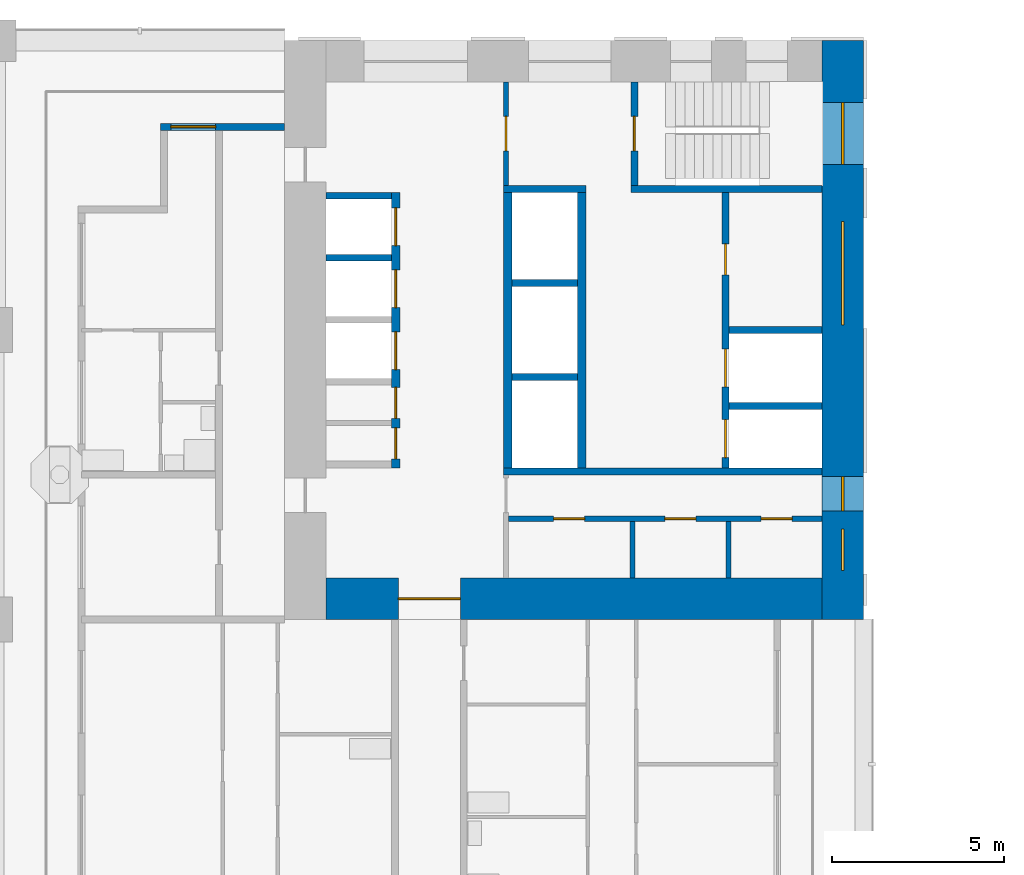
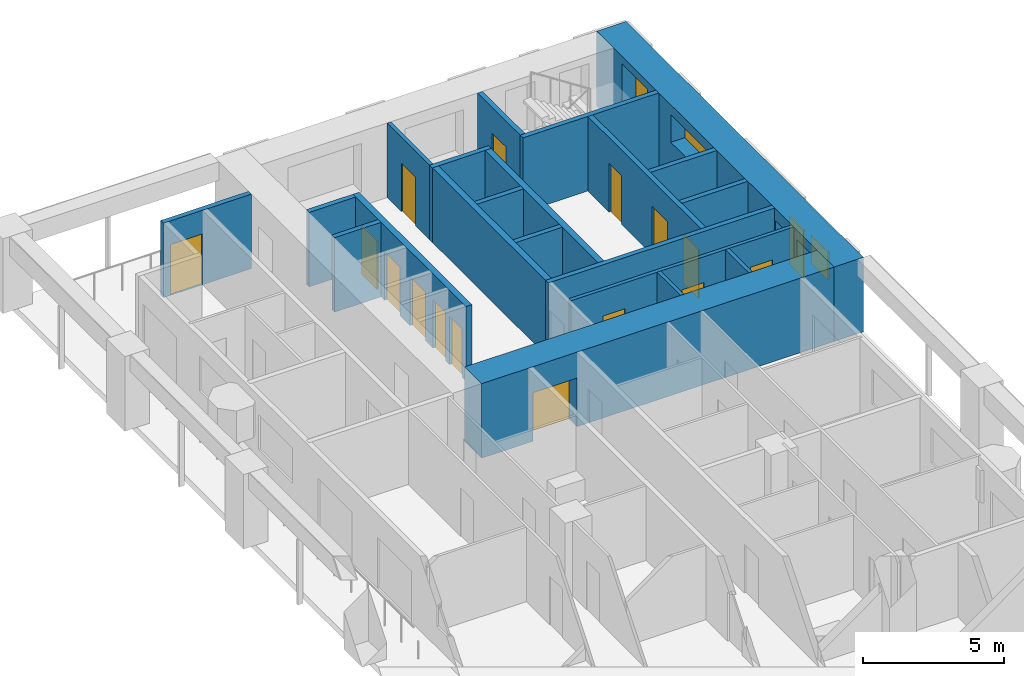
# One storey, part 7 of 18: 21 walls, 15 doors, 4 windows, 19 openings.
"""IFC4 building model written with IfcOpenShell, lengths in metres."""

from ifc_helpers import new_model, si_unit, direction, frame, frame_2d, origin, place, context, subcontext, project, spatial, rectangle, extrude, material, layer, layer_set, type_object, element, fill, save


model = new_model("IFC4")

# Units and contexts
model_context = context("Model", 3, precision=1e-05, world=origin(), true_north=direction((0.0, 1.0)))
body_context = subcontext(model_context, "Body", "Model", "MODEL_VIEW")
ifc_project = project(units=[si_unit("LENGTHUNIT", "METRE"), si_unit("AREAUNIT", "SQUARE_METRE"), si_unit("VOLUMEUNIT", "CUBIC_METRE"), si_unit("PLANEANGLEUNIT", "RADIAN"), si_unit("MASSUNIT", "GRAM", prefix="KILO")], contexts=[model_context])

# Site, building, storey
site_placement = place(None, origin())
site = spatial("IfcSite", under=ifc_project, at=site_placement, CompositionType="ELEMENT")
building_placement = place(site_placement, origin())
building = spatial("IfcBuilding", under=site, at=building_placement, Name="Vermilion Gate Residences", CompositionType="ELEMENT")
storey_placement = place(building_placement, frame((0.0, 0.0, 81.199951171875)))
storey = spatial("IfcBuildingStorey", under=building, at=storey_placement, Name="L19", CompositionType="ELEMENT", Elevation=81.199951171875)

# Wall, opening, door
ifc_material_1 = material(Name="Masonry blockwork", Category="masonry")
ifc_layer_1 = layer(ifc_material_1, 0.14990234375)
ifc_layer_set_1 = layer_set([ifc_layer_1], Name="BLOCKWORK PARTITION 150 EI 120")
wall_type_1 = type_object("IfcWallType", Name="BLOCKWORK PARTITION 150 EI 120", PredefinedType="PARTITIONING", material=ifc_layer_set_1)
wall_1_placement = place(storey_placement, frame((14.824951171875, 57.60009765625, 0.0), z_axis=(0.0, 0.0, 1.0), x_axis=(0.0, -1.0, 0.0)))
wall_1 = element("IfcWall", 1, at=wall_1_placement, inside=storey, type_object=wall_type_1, Name="Core room partition B19-VW-S", PredefinedType="PARTITIONING", context=body_context, shape_type="SweptSolid", body=[
    extrude(rectangle(XDim=3.0, YDim=0.14990234375, at=frame_2d((1.5, 0.0))), origin(), (0.0, 0.0, 1.0), 3.219970703125),
])
opening_1_placement = place(wall_1_placement, frame((1.0, 0.0, 0.0)))
opening_1 = element("IfcOpeningElement", 2, at=opening_1_placement, cuts=wall_1, Name="Opening DK19112", PredefinedType="OPENING", context=body_context, shape_type="SweptSolid", body=[
    extrude(rectangle(XDim=1.0, YDim=2.10009765625, at=frame_2d((0.5, 1.050048828125))), frame((0.0, 0.0849609375, 0.0), z_axis=(0.0, -1.0, 0.0), x_axis=(1.0, 0.0, 0.0)), (0.0, 0.0, 1.0), 0.169921875),
])
ifc_material_2 = material(Name="Steel", Category="steel")
door_type_1 = type_object("IfcDoorType", Name="FIRE DOOR FD60 1000 X 2100", OperationType="SINGLE_SWING_LEFT", PredefinedType="DOOR", material=ifc_material_2)
door_1_placement = place(opening_1_placement, frame((1.0, 0.0, 0.0), z_axis=(0.0, 0.0, 1.0), x_axis=(-1.0, 0.0, 0.0)))
door_1 = element("IfcDoor", 3, at=door_1_placement, inside=storey, type_object=door_type_1, Name="Stair vestibule door B19", OperationType="SINGLE_SWING_RIGHT", OverallHeight=2.10009765625, OverallWidth=1.0, PredefinedType="DOOR", context=body_context, shape_type="SweptSolid", body=[
    extrude(rectangle(XDim=1.0, YDim=2.10009765625, at=frame_2d((0.5, 1.050048828125))), frame((0.0, 0.02490234375, 0.0), z_axis=(0.0, -1.0, 0.0), x_axis=(1.0, 0.0, 0.0)), (0.0, 0.0, 1.0), 0.050048828125),
])
fill(opening_1, door_1)

# Walls
for number, where, z_axis, x_axis, name in (
    (4, (18.4951171875, 44.85009765625, 0.0), (0.0, 0.0, 1.0), (0.0, -1.0, 0.0), "Core room partition B19-ES-P0"),
    (5, (21.284912109375, 44.85009765625, 0.0), (0.0, 0.0, 1.0), (0.0, -1.0, 0.0), "Core room partition B19-ES-P1"),
):
    element("IfcWall", number, at=place(storey_placement, frame(where, z_axis=z_axis, x_axis=x_axis)), inside=storey, type_object=wall_type_1, Name=name, PredefinedType="PARTITIONING", context=body_context, shape_type="SweptSolid", body=[
        extrude(rectangle(XDim=1.650146484375, YDim=0.14990234375, at=frame_2d((0.8251953125, 0.0))), origin(), (0.0, 0.0, 1.0), 3.219970703125),
    ])

# Wall, openings, doors
wall_2_placement = place(storey_placement, frame((14.89990234375, 44.925048828125, 0.0), z_axis=(0.0, 0.0, 1.0), x_axis=(1.0, 0.0, 0.0)))
wall_2 = element("IfcWall", 6, at=wall_2_placement, inside=storey, type_object=wall_type_1, Name="Core room partition B19-ES-W", PredefinedType="PARTITIONING", context=body_context, shape_type="SweptSolid", body=[
    extrude(rectangle(XDim=9.10009765625, YDim=0.14990234375, at=frame_2d((4.550048828125, 0.0))), origin(), (0.0, 0.0, 1.0), 3.219970703125),
])
opening_2_placement = place(wall_2_placement, frame((1.31005859375, 0.0, 0.0)))
opening_2 = element("IfcOpeningElement", 7, at=opening_2_placement, cuts=wall_2, Name="Opening DK19115", PredefinedType="OPENING", context=body_context, shape_type="SweptSolid", body=[
    extrude(rectangle(XDim=0.89990234375, YDim=2.10009765625, at=frame_2d((0.449951171875, 1.050048828125))), frame((0.0, 0.0849609375, 0.0), z_axis=(0.0, -1.0, 0.0), x_axis=(1.0, 0.0, 0.0)), (0.0, 0.0, 1.0), 0.169921875),
])
opening_3_placement = place(wall_2_placement, frame((4.5400390625, 0.0, 0.0)))
opening_3 = element("IfcOpeningElement", 8, at=opening_3_placement, cuts=wall_2, Name="Opening DK19116", PredefinedType="OPENING", context=body_context, shape_type="SweptSolid", body=[
    extrude(rectangle(XDim=0.89990234375, YDim=2.10009765625, at=frame_2d((0.449951171875, 1.050048828125))), frame((0.0, 0.0849609375, 0.0), z_axis=(0.0, -1.0, 0.0), x_axis=(1.0, 0.0, 0.0)), (0.0, 0.0, 1.0), 0.169921875),
])
opening_4_placement = place(wall_2_placement, frame((7.330078125, 0.0, 0.0)))
opening_4 = element("IfcOpeningElement", 9, at=opening_4_placement, cuts=wall_2, Name="Opening DK19117", PredefinedType="OPENING", context=body_context, shape_type="SweptSolid", body=[
    extrude(rectangle(XDim=0.89990234375, YDim=2.10009765625, at=frame_2d((0.449951171875, 1.050048828125))), frame((0.0, 0.0849609375, 0.0), z_axis=(0.0, -1.0, 0.0), x_axis=(1.0, 0.0, 0.0)), (0.0, 0.0, 1.0), 0.169921875),
])
ifc_material_3 = material(Name="Steel", Category="steel")
door_type_2 = type_object("IfcDoorType", Name="SERVICE ROOM DOOR FD60 900 X 2100", OperationType="SINGLE_SWING_LEFT", PredefinedType="DOOR", material=ifc_material_3)
door_2_placement = place(opening_2_placement, frame((0.89990234375, 0.0, 0.0), z_axis=(0.0, 0.0, 1.0), x_axis=(-1.0, 0.0, 0.0)))
door_2 = element("IfcDoor", 10, at=door_2_placement, inside=storey, type_object=door_type_2, Name="Parcel room B19", OperationType="SINGLE_SWING_RIGHT", OverallHeight=2.10009765625, OverallWidth=0.89990234375, PredefinedType="DOOR", context=body_context, shape_type="SweptSolid", body=[
    extrude(rectangle(XDim=0.89990234375, YDim=2.10009765625, at=frame_2d((0.449951171875, 1.050048828125))), frame((0.0, 0.02490234375, 0.0), z_axis=(0.0, -1.0, 0.0), x_axis=(1.0, 0.0, 0.0)), (0.0, 0.0, 1.0), 0.050048828125),
])
fill(opening_2, door_2)
door_3_placement = place(opening_3_placement, frame((0.89990234375, 0.0, 0.0), z_axis=(0.0, 0.0, 1.0), x_axis=(-1.0, 0.0, 0.0)))
door_3 = element("IfcDoor", 11, at=door_3_placement, inside=storey, type_object=door_type_2, Name="Cleaner's store B19", OperationType="SINGLE_SWING_RIGHT", OverallHeight=2.10009765625, OverallWidth=0.89990234375, PredefinedType="DOOR", context=body_context, shape_type="SweptSolid", body=[
    extrude(rectangle(XDim=0.89990234375, YDim=2.10009765625, at=frame_2d((0.449951171875, 1.050048828125))), frame((0.0, 0.02490234375, 0.0), z_axis=(0.0, -1.0, 0.0), x_axis=(1.0, 0.0, 0.0)), (0.0, 0.0, 1.0), 0.050048828125),
])
fill(opening_3, door_3)
door_4_placement = place(opening_4_placement, frame((0.89990234375, 0.0, 0.0), z_axis=(0.0, 0.0, 1.0), x_axis=(-1.0, 0.0, 0.0)))
door_4 = element("IfcDoor", 12, at=door_4_placement, inside=storey, type_object=door_type_2, Name="Electrical room B19", OperationType="SINGLE_SWING_LEFT", OverallHeight=2.10009765625, OverallWidth=0.89990234375, PredefinedType="DOOR", context=body_context, shape_type="SweptSolid", body=[
    extrude(rectangle(XDim=0.89990234375, YDim=2.10009765625, at=frame_2d((0.449951171875, 1.050048828125))), frame((0.0, 0.02490234375, 0.0), z_axis=(0.0, -1.0, 0.0), x_axis=(1.0, 0.0, 0.0)), (0.0, 0.0, 1.0), 0.050048828125),
])
fill(opening_4, door_4)

# Wall, opening, door
ifc_material_4 = material(Name="Insulated steel stud wall with terracotta rainscreen", Category="masonry")
ifc_layer_2 = layer(ifc_material_4, 0.199951171875)
ifc_layer_set_2 = layer_set([ifc_layer_2], Name="EXTERNAL WALL 200 TERRACOTTA RAINSCREEN")
wall_type_2 = type_object("IfcWallType", Name="EXTERNAL WALL 200 TERRACOTTA RAINSCREEN", PredefinedType="SOLIDWALL", material=ifc_layer_set_2)
wall_3_placement = place(storey_placement, frame((8.39990234375, 56.300048828125, 0.0), z_axis=(0.0, 0.0, 1.0), x_axis=(-1.0, 0.0, 0.0)))
wall_3 = element("IfcWall", 13, at=wall_3_placement, inside=storey, type_object=wall_type_2, Name="External wall", PredefinedType="SOLIDWALL", context=body_context, shape_type="SweptSolid", body=[
    extrude(rectangle(XDim=3.599853515625, YDim=0.199951171875, at=frame_2d((1.7998046875, 0.0))), origin(), (0.0, 0.0, 1.0), 3.219970703125),
])
opening_5_placement = place(wall_3_placement, frame((2.0, 0.0, 0.0)))
opening_5 = element("IfcOpeningElement", 14, at=opening_5_placement, cuts=wall_3, Name="Opening DE19001", PredefinedType="OPENING", context=body_context, shape_type="SweptSolid", body=[
    extrude(rectangle(XDim=1.300048828125, YDim=2.199951171875, at=frame_2d((0.64990234375, 1.10009765625))), frame((0.0, 0.10986328125, 0.0), z_axis=(0.0, -1.0, 0.0), x_axis=(1.0, 0.0, 0.0)), (0.0, 0.0, 1.0), 0.219970703125),
])
ifc_material_5 = material(Name="Aluminium and clear glass", Category="aluminium")
door_type_3 = type_object("IfcDoorType", Name="SLIDING GLAZED DOOR 1300 X 2200", OperationType="DOUBLE_DOOR_SLIDING", PredefinedType="DOOR", material=ifc_material_5)
door_5_placement = place(opening_5_placement, origin())
door_5 = element("IfcDoor", 15, at=door_5_placement, inside=storey, type_object=door_type_3, Name="Loggia sliding door", OperationType="DOUBLE_DOOR_SLIDING", OverallHeight=2.199951171875, OverallWidth=1.300048828125, PredefinedType="DOOR", context=body_context, shape_type="SweptSolid", body=[
    extrude(rectangle(XDim=1.300048828125, YDim=2.199951171875, at=frame_2d((0.64990234375, 1.10009765625))), frame((0.0, 0.02490234375, 0.0), z_axis=(0.0, -1.0, 0.0), x_axis=(1.0, 0.0, 0.0)), (0.0, 0.0, 1.0), 0.050048828125),
])
fill(opening_5, door_5)

# Walls
ifc_material_6 = material(Name="Concrete C60", Category="concrete")
ifc_layer_3 = layer(ifc_material_6, 0.199951171875)
ifc_layer_set_3 = layer_set([ifc_layer_3], Name="RC CORE INTERNAL WALL 200 C60")
wall_type_3 = type_object("IfcWallType", Name="RC CORE INTERNAL WALL 200 C60", PredefinedType="SHEAR", material=ifc_layer_set_3)
for number, where, z_axis, x_axis, name in (
    (16, (9.60009765625, 54.300048828125, 0.0), (0.0, 0.0, 1.0), (1.0, 0.0, 0.0), "Core internal wall B19-LR-D0"),
    (17, (9.60009765625, 52.5, 0.0), (0.0, 0.0, 1.0), (1.0, 0.0, 0.0), "Core internal wall B19-LR-D1"),
    (18, (15.0, 51.7666015625, 0.0), (0.0, 0.0, 1.0), (1.0, 0.0, 0.0), "Core internal wall B19-HR-D1"),
    (19, (15.0, 49.033447265625, 0.0), (0.0, 0.0, 1.0), (1.0, 0.0, 0.0), "Core internal wall B19-HR-D2"),
):
    element("IfcWall", number, at=place(storey_placement, frame(where, z_axis=z_axis, x_axis=x_axis)), inside=storey, type_object=wall_type_3, Name=name, PredefinedType="SHEAR", context=body_context, shape_type="SweptSolid", body=[
        extrude(rectangle(XDim=1.89990234375, YDim=0.199951171875, at=frame_2d((0.949951171875, 0.0))), origin(), (0.0, 0.0, 1.0), 3.219970703125),
    ])
for number, where, z_axis, x_axis, name in (
    (20, (21.300048828125, 50.39990234375, 0.0), (0.0, 0.0, 1.0), (1.0, 0.0, 0.0), "Core internal wall B19-FF-D0"),
    (21, (21.300048828125, 48.199951171875, 0.0), (0.0, 0.0, 1.0), (1.0, 0.0, 0.0), "Core internal wall B19-FF-D1"),
):
    element("IfcWall", number, at=place(storey_placement, frame(where, z_axis=z_axis, x_axis=x_axis)), inside=storey, type_object=wall_type_3, Name=name, PredefinedType="SHEAR", context=body_context, shape_type="SweptSolid", body=[
        extrude(rectangle(XDim=2.699951171875, YDim=0.199951171875, at=frame_2d((1.35009765625, 0.0))), origin(), (0.0, 0.0, 1.0), 3.219970703125),
    ])

# Wall, openings, doors
wall_4_placement = place(storey_placement, frame((21.199951171875, 54.39990234375, 0.0), z_axis=(0.0, 0.0, 1.0), x_axis=(0.0, -1.0, 0.0)))
wall_4 = element("IfcWall", 22, at=wall_4_placement, inside=storey, type_object=wall_type_3, Name="Core internal wall B19-FF-F", PredefinedType="SHEAR", context=body_context, shape_type="SweptSolid", body=[
    extrude(rectangle(XDim=8.0, YDim=0.199951171875, at=frame_2d((4.0, 0.0))), origin(), (0.0, 0.0, 1.0), 3.219970703125),
])
opening_6_placement = place(wall_4_placement, frame((1.5, 0.0, 0.0)))
opening_6 = element("IfcOpeningElement", 23, at=opening_6_placement, cuts=wall_4, Name="Opening DK19109", PredefinedType="OPENING", context=body_context, shape_type="SweptSolid", body=[
    extrude(rectangle(XDim=0.89990234375, YDim=2.10009765625, at=frame_2d((0.449951171875, 1.050048828125))), frame((0.0, 0.10986328125, 0.0), z_axis=(0.0, -1.0, 0.0), x_axis=(1.0, 0.0, 0.0)), (0.0, 0.0, 1.0), 0.219970703125),
])
opening_7_placement = place(wall_4_placement, frame((4.550048828125, 0.0, 0.0)))
opening_7 = element("IfcOpeningElement", 24, at=opening_7_placement, cuts=wall_4, Name="Opening LD", PredefinedType="OPENING", context=body_context, shape_type="SweptSolid", body=[
    extrude(rectangle(XDim=1.10009765625, YDim=2.10009765625, at=frame_2d((0.550048828125, 1.050048828125))), frame((0.0, 0.10986328125, 0.0), z_axis=(0.0, -1.0, 0.0), x_axis=(1.0, 0.0, 0.0)), (0.0, 0.0, 1.0), 0.219970703125),
])
opening_8_placement = place(wall_4_placement, frame((6.60009765625, 0.0, 0.0)))
opening_8 = element("IfcOpeningElement", 25, at=opening_8_placement, cuts=wall_4, Name="Opening LD", PredefinedType="OPENING", context=body_context, shape_type="SweptSolid", body=[
    extrude(rectangle(XDim=1.10009765625, YDim=2.10009765625, at=frame_2d((0.550048828125, 1.050048828125))), frame((0.0, 0.10986328125, 0.0), z_axis=(0.0, -1.0, 0.0), x_axis=(1.0, 0.0, 0.0)), (0.0, 0.0, 1.0), 0.219970703125),
])
ifc_material_7 = material(Name="Stainless steel", Category="steel")
door_type_4 = type_object("IfcDoorType", Name="LIFT LANDING DOOR E60 1100 X 2100", OperationType="DOUBLE_DOOR_SLIDING", PredefinedType="DOOR", material=ifc_material_7)
door_6_placement = place(opening_7_placement, origin())
door_6 = element("IfcDoor", 26, at=door_6_placement, inside=storey, type_object=door_type_4, Name="Lift landing door LFB1", OperationType="DOUBLE_DOOR_SLIDING", OverallHeight=2.10009765625, OverallWidth=1.10009765625, PredefinedType="DOOR", context=body_context, shape_type="SweptSolid", body=[
    extrude(rectangle(XDim=1.10009765625, YDim=2.10009765625, at=frame_2d((0.550048828125, 1.050048828125))), frame((0.0, 0.02490234375, 0.0), z_axis=(0.0, -1.0, 0.0), x_axis=(1.0, 0.0, 0.0)), (0.0, 0.0, 1.0), 0.050048828125),
])
fill(opening_7, door_6)
door_7_placement = place(opening_8_placement, origin())
door_7 = element("IfcDoor", 27, at=door_7_placement, inside=storey, type_object=door_type_4, Name="Lift landing door LCB1", OperationType="DOUBLE_DOOR_SLIDING", OverallHeight=2.10009765625, OverallWidth=1.10009765625, PredefinedType="DOOR", context=body_context, shape_type="SweptSolid", body=[
    extrude(rectangle(XDim=1.10009765625, YDim=2.10009765625, at=frame_2d((0.550048828125, 1.050048828125))), frame((0.0, 0.02490234375, 0.0), z_axis=(0.0, -1.0, 0.0), x_axis=(1.0, 0.0, 0.0)), (0.0, 0.0, 1.0), 0.050048828125),
])
fill(opening_8, door_7)
door_8_placement = place(opening_6_placement, origin())
door_8 = element("IfcDoor", 28, at=door_8_placement, inside=storey, type_object=door_type_2, Name="Communications riser B19", OperationType="SINGLE_SWING_LEFT", OverallHeight=2.10009765625, OverallWidth=0.89990234375, PredefinedType="DOOR", context=body_context, shape_type="SweptSolid", body=[
    extrude(rectangle(XDim=0.89990234375, YDim=2.10009765625, at=frame_2d((0.449951171875, 1.050048828125))), frame((0.0, 0.02490234375, 0.0), z_axis=(0.0, -1.0, 0.0), x_axis=(1.0, 0.0, 0.0)), (0.0, 0.0, 1.0), 0.050048828125),
])
fill(opening_6, door_8)

# Walls
wall_5_placement = place(storey_placement, frame((14.75, 54.5, 0.0), z_axis=(0.0, 0.0, 1.0), x_axis=(1.0, 0.0, 0.0)))
element("IfcWall", 29, at=wall_5_placement, inside=storey, type_object=wall_type_3, Name="Core internal wall B19-WDIV1", PredefinedType="SHEAR", context=body_context, shape_type="SweptSolid", body=[
    extrude(rectangle(XDim=2.39990234375, YDim=0.199951171875, at=frame_2d((1.199951171875, 0.0))), origin(), (0.0, 0.0, 1.0), 3.219970703125),
])
wall_6_placement = place(storey_placement, frame((18.449951171875, 54.5, 0.0), z_axis=(0.0, 0.0, 1.0), x_axis=(1.0, 0.0, 0.0)))
element("IfcWall", 30, at=wall_6_placement, inside=storey, type_object=wall_type_3, Name="Core internal wall B19-WDIV2", PredefinedType="SHEAR", context=body_context, shape_type="SweptSolid", body=[
    extrude(rectangle(XDim=5.550048828125, YDim=0.199951171875, at=frame_2d((2.77490234375, 0.0))), origin(), (0.0, 0.0, 1.0), 3.219970703125),
])

# Wall, opening, door
wall_7_placement = place(storey_placement, frame((18.550048828125, 57.60009765625, 0.0), z_axis=(0.0, 0.0, 1.0), x_axis=(0.0, -1.0, 0.0)))
wall_7 = element("IfcWall", 31, at=wall_7_placement, inside=storey, type_object=wall_type_3, Name="Core internal wall B19-STW-S", PredefinedType="SHEAR", context=body_context, shape_type="SweptSolid", body=[
    extrude(rectangle(XDim=3.0, YDim=0.199951171875, at=frame_2d((1.5, 0.0))), origin(), (0.0, 0.0, 1.0), 3.219970703125),
])
opening_9_placement = place(wall_7_placement, frame((1.0, 0.0, 0.0)))
opening_9 = element("IfcOpeningElement", 32, at=opening_9_placement, cuts=wall_7, Name="Opening DK19113", PredefinedType="OPENING", context=body_context, shape_type="SweptSolid", body=[
    extrude(rectangle(XDim=1.0, YDim=2.10009765625, at=frame_2d((0.5, 1.050048828125))), frame((0.0, 0.10986328125, 0.0), z_axis=(0.0, -1.0, 0.0), x_axis=(1.0, 0.0, 0.0)), (0.0, 0.0, 1.0), 0.219970703125),
])
door_9_placement = place(opening_9_placement, origin())
door_9 = element("IfcDoor", 33, at=door_9_placement, inside=storey, type_object=door_type_1, Name="Stair door B19", OperationType="SINGLE_SWING_LEFT", OverallHeight=2.10009765625, OverallWidth=1.0, PredefinedType="DOOR", context=body_context, shape_type="SweptSolid", body=[
    extrude(rectangle(XDim=1.0, YDim=2.10009765625, at=frame_2d((0.5, 1.050048828125))), frame((0.0, 0.02490234375, 0.0), z_axis=(0.0, -1.0, 0.0), x_axis=(1.0, 0.0, 0.0)), (0.0, 0.0, 1.0), 0.050048828125),
])
fill(opening_9, door_9)

# Wall
wall_8_placement = place(storey_placement, frame((14.75, 46.300048828125, 0.0), z_axis=(0.0, 0.0, 1.0), x_axis=(1.0, 0.0, 0.0)))
element("IfcWall", 34, at=wall_8_placement, inside=storey, type_object=wall_type_3, Name="Core internal wall B19-EDIV", PredefinedType="SHEAR", context=body_context, shape_type="SweptSolid", body=[
    extrude(rectangle(XDim=9.25, YDim=0.199951171875, at=frame_2d((4.625, 0.0))), origin(), (0.0, 0.0, 1.0), 3.219970703125),
])

# Wall, opening, door
ifc_material_8 = material(Name="Concrete C70", Category="concrete")
ifc_layer_4 = layer(ifc_material_8, 1.199951171875)
ifc_layer_set_4 = layer_set([ifc_layer_4], Name="RC CORE WALL 1200 C70")
wall_type_4 = type_object("IfcWallType", Name="RC CORE WALL 1200 C70", PredefinedType="SHEAR", material=ifc_layer_set_4)
wall_9_placement = place(storey_placement, frame((9.60009765625, 42.60009765625, 0.0), z_axis=(0.0, 0.0, 1.0), x_axis=(1.0, 0.0, 0.0)))
wall_9 = element("IfcWall", 35, at=wall_9_placement, inside=storey, type_object=wall_type_4, Name="Core wall B19-OUT-BK", PredefinedType="SHEAR", context=body_context, shape_type="SweptSolid", body=[
    extrude(rectangle(XDim=14.39990234375, YDim=1.199951171875, at=frame_2d((7.199951171875, 0.0))), origin(), (0.0, 0.0, 1.0), 3.219970703125),
])
opening_10_placement = place(wall_9_placement, frame((2.10009765625, 0.0, 0.0)))
opening_10 = element("IfcOpeningElement", 36, at=opening_10_placement, cuts=wall_9, Name="Opening DK19103", PredefinedType="OPENING", context=body_context, shape_type="SweptSolid", body=[
    extrude(rectangle(XDim=1.800048828125, YDim=2.10009765625, at=frame_2d((0.89990234375, 1.050048828125))), frame((0.0, 0.60986328125, 0.0), z_axis=(0.0, -1.0, 0.0), x_axis=(1.0, 0.0, 0.0)), (0.0, 0.0, 1.0), 1.219970703125),
])
ifc_material_9 = material(Name="Steel", Category="steel")
door_type_5 = type_object("IfcDoorType", Name="CORE LOBBY DOOR FD60 1800 X 2100", OperationType="DOUBLE_DOOR_SINGLE_SWING", PredefinedType="DOOR", material=ifc_material_9)
door_10_placement = place(opening_10_placement, origin())
door_10 = element("IfcDoor", 37, at=door_10_placement, inside=storey, type_object=door_type_5, Name="Core lobby door B19", OperationType="DOUBLE_DOOR_SINGLE_SWING", OverallHeight=2.10009765625, OverallWidth=1.800048828125, PredefinedType="DOOR", context=body_context, shape_type="SweptSolid", body=[
    extrude(rectangle(XDim=1.800048828125, YDim=2.10009765625, at=frame_2d((0.89990234375, 1.050048828125))), frame((0.0, 0.02490234375, 0.0), z_axis=(0.0, -1.0, 0.0), x_axis=(1.0, 0.0, 0.0)), (0.0, 0.0, 1.0), 0.050048828125),
])
fill(opening_10, door_10)

# Wall, openings, windows
ifc_material_10 = material(Name="Concrete C70 red-oxide pigmented", Category="concrete")
ifc_layer_5 = layer(ifc_material_10, 1.199951171875)
ifc_layer_set_5 = layer_set([ifc_layer_5], Name="RC CORE WALL 1200 C70 RED OXIDE")
wall_type_5 = type_object("IfcWallType", Name="RC CORE WALL 1200 C70 RED OXIDE", PredefinedType="SHEAR", material=ifc_layer_set_5)
wall_10_placement = place(storey_placement, frame((24.60009765625, 58.800048828125, 0.0), z_axis=(0.0, 0.0, 1.0), x_axis=(0.0, -1.0, 0.0)))
wall_10 = element("IfcWall", 38, at=wall_10_placement, inside=storey, type_object=wall_type_5, Name="Core wall B19-OUT-B1", PredefinedType="SHEAR", context=body_context, shape_type="SweptSolid", body=[
    extrude(rectangle(XDim=16.800048828125, YDim=1.199951171875, at=frame_2d((8.39990234375, 0.0))), origin(), (0.0, 0.0, 1.0), 3.219970703125),
])
opening_11_placement = place(wall_10_placement, frame((1.800048828125, 0.0, 0.5)))
opening_11 = element("IfcOpeningElement", 39, at=opening_11_placement, cuts=wall_10, Name="Opening WKB1901", PredefinedType="OPENING", context=body_context, shape_type="SweptSolid", body=[
    extrude(rectangle(XDim=1.800048828125, YDim=2.39990234375, at=frame_2d((0.89990234375, 1.199951171875))), frame((0.0, 0.60986328125, 0.0), z_axis=(0.0, -1.0, 0.0), x_axis=(1.0, 0.0, 0.0)), (0.0, 0.0, 1.0), 1.219970703125),
])
opening_12_placement = place(wall_10_placement, frame((5.25, 0.0, 1.60009765625)))
opening_12 = element("IfcOpeningElement", 40, at=opening_12_placement, cuts=wall_10, Name="Opening WKB1902", PredefinedType="OPENING", context=body_context, shape_type="SweptSolid", body=[
    extrude(rectangle(XDim=3.0, YDim=1.199951171875, at=frame_2d((1.5, 0.60009765625))), frame((0.0, 0.60986328125, 0.0), z_axis=(0.0, -1.0, 0.0), x_axis=(1.0, 0.0, 0.0)), (0.0, 0.0, 1.0), 1.219970703125),
])
opening_13_placement = place(wall_10_placement, frame((12.64990234375, 0.0, 0.60009765625)))
opening_13 = element("IfcOpeningElement", 41, at=opening_13_placement, cuts=wall_10, Name="Opening WKB1903", PredefinedType="OPENING", context=body_context, shape_type="SweptSolid", body=[
    extrude(rectangle(XDim=1.0, YDim=2.10009765625, at=frame_2d((0.5, 1.050048828125))), frame((0.0, 0.60986328125, 0.0), z_axis=(0.0, -1.0, 0.0), x_axis=(1.0, 0.0, 0.0)), (0.0, 0.0, 1.0), 1.219970703125),
])
opening_14_placement = place(wall_10_placement, frame((14.175048828125, 0.0, 1.60009765625)))
opening_14 = element("IfcOpeningElement", 42, at=opening_14_placement, cuts=wall_10, Name="Opening WKB1904", PredefinedType="OPENING", context=body_context, shape_type="SweptSolid", body=[
    extrude(rectangle(XDim=1.199951171875, YDim=1.199951171875, at=frame_2d((0.60009765625, 0.60009765625))), frame((0.0, 0.60986328125, 0.0), z_axis=(0.0, -1.0, 0.0), x_axis=(1.0, 0.0, 0.0)), (0.0, 0.0, 1.0), 1.219970703125),
])
ifc_material_11 = material(Name="Aluminium and clear glass", Category="aluminium")
window_type_1 = type_object("IfcWindowType", Name="CORE CORRIDOR WINDOW 1000 X 2100", PartitioningType="SINGLE_PANEL", PredefinedType="WINDOW", material=ifc_material_11)
window_1_placement = place(opening_13_placement, origin())
window_1 = element("IfcWindow", 43, at=window_1_placement, inside=storey, type_object=window_type_1, Name="Core corridor window", OverallHeight=2.10009765625, OverallWidth=1.0, PartitioningType="SINGLE_PANEL", PredefinedType="WINDOW", context=body_context, shape_type="SweptSolid", body=[
    extrude(rectangle(XDim=1.0, YDim=2.10009765625, at=frame_2d((0.5, 1.050048828125))), frame((0.0, 0.030029296875, 0.0), z_axis=(0.0, -1.0, 0.0), x_axis=(1.0, 0.0, 0.0)), (0.0, 0.0, 1.0), 0.06005859375),
])
fill(opening_13, window_1)
ifc_material_12 = material(Name="Aluminium frame with louvre blades", Category="aluminium")
window_type_2 = type_object("IfcWindowType", Name="CORE LOUVRE 1200 X 1200", PartitioningType="SINGLE_PANEL", PredefinedType="WINDOW", material=ifc_material_12)
window_2_placement = place(opening_14_placement, origin())
window_2 = element("IfcWindow", 44, at=window_2_placement, inside=storey, type_object=window_type_2, Name="Core louvre", OverallHeight=1.199951171875, OverallWidth=1.199951171875, PartitioningType="SINGLE_PANEL", PredefinedType="WINDOW", context=body_context, shape_type="SweptSolid", body=[
    extrude(rectangle(XDim=1.199951171875, YDim=1.199951171875, at=frame_2d((0.60009765625, 0.60009765625))), frame((0.0, 0.030029296875, 0.0), z_axis=(0.0, -1.0, 0.0), x_axis=(1.0, 0.0, 0.0)), (0.0, 0.0, 1.0), 0.06005859375),
])
fill(opening_14, window_2)
ifc_material_13 = material(Name="Aluminium frame with louvre blades", Category="aluminium")
window_type_3 = type_object("IfcWindowType", Name="CORE LOUVRE 3000 X 1200", PartitioningType="SINGLE_PANEL", PredefinedType="WINDOW", material=ifc_material_13)
window_3_placement = place(opening_12_placement, origin())
window_3 = element("IfcWindow", 45, at=window_3_placement, inside=storey, type_object=window_type_3, Name="Core louvre", OverallHeight=1.199951171875, OverallWidth=3.0, PartitioningType="SINGLE_PANEL", PredefinedType="WINDOW", context=body_context, shape_type="SweptSolid", body=[
    extrude(rectangle(XDim=3.0, YDim=1.199951171875, at=frame_2d((1.5, 0.60009765625))), frame((0.0, 0.030029296875, 0.0), z_axis=(0.0, -1.0, 0.0), x_axis=(1.0, 0.0, 0.0)), (0.0, 0.0, 1.0), 0.06005859375),
])
fill(opening_12, window_3)
ifc_material_14 = material(Name="Aluminium and clear glass", Category="aluminium")
window_type_4 = type_object("IfcWindowType", Name="CORE STAIR WINDOW 1800 X 2400", PartitioningType="SINGLE_PANEL", PredefinedType="WINDOW", material=ifc_material_14)
window_4_placement = place(opening_11_placement, origin())
window_4 = element("IfcWindow", 46, at=window_4_placement, inside=storey, type_object=window_type_4, Name="Core stair window", OverallHeight=2.39990234375, OverallWidth=1.800048828125, PartitioningType="SINGLE_PANEL", PredefinedType="WINDOW", context=body_context, shape_type="SweptSolid", body=[
    extrude(rectangle(XDim=1.800048828125, YDim=2.39990234375, at=frame_2d((0.89990234375, 1.199951171875))), frame((0.0, 0.030029296875, 0.0), z_axis=(0.0, -1.0, 0.0), x_axis=(1.0, 0.0, 0.0)), (0.0, 0.0, 1.0), 0.06005859375),
])
fill(opening_11, window_4)

# Wall, openings, doors
ifc_material_15 = material(Name="Concrete C60", Category="concrete")
ifc_layer_6 = layer(ifc_material_15, 0.25)
ifc_layer_set_6 = layer_set([ifc_layer_6], Name="RC LIFT SHAFT WALL 250 C60")
wall_type_6 = type_object("IfcWallType", Name="RC LIFT SHAFT WALL 250 C60", PredefinedType="SHEAR", material=ifc_layer_set_6)
wall_11_placement = place(storey_placement, frame((11.625, 54.39990234375, 0.0), z_axis=(0.0, 0.0, 1.0), x_axis=(0.0, -1.0, 0.0)))
wall_11 = element("IfcWall", 47, at=wall_11_placement, inside=storey, type_object=wall_type_6, Name="Lift shaft wall B19-LR-F", PredefinedType="SHEAR", context=body_context, shape_type="SweptSolid", body=[
    extrude(rectangle(XDim=8.0, YDim=0.25, at=frame_2d((4.0, 0.0))), origin(), (0.0, 0.0, 1.0), 3.219970703125),
])
opening_15_placement = place(wall_11_placement, frame((0.449951171875, 0.0, 0.0)))
opening_15 = element("IfcOpeningElement", 48, at=opening_15_placement, cuts=wall_11, Name="Opening LD", PredefinedType="OPENING", context=body_context, shape_type="SweptSolid", body=[
    extrude(rectangle(XDim=1.10009765625, YDim=2.10009765625, at=frame_2d((0.550048828125, 1.050048828125))), frame((0.0, 0.135009765625, 0.0), z_axis=(0.0, -1.0, 0.0), x_axis=(1.0, 0.0, 0.0)), (0.0, 0.0, 1.0), 0.27001953125),
])
opening_16_placement = place(wall_11_placement, frame((2.25, 0.0, 0.0)))
opening_16 = element("IfcOpeningElement", 49, at=opening_16_placement, cuts=wall_11, Name="Opening LD", PredefinedType="OPENING", context=body_context, shape_type="SweptSolid", body=[
    extrude(rectangle(XDim=1.10009765625, YDim=2.10009765625, at=frame_2d((0.550048828125, 1.050048828125))), frame((0.0, 0.135009765625, 0.0), z_axis=(0.0, -1.0, 0.0), x_axis=(1.0, 0.0, 0.0)), (0.0, 0.0, 1.0), 0.27001953125),
])
opening_17_placement = place(wall_11_placement, frame((4.050048828125, 0.0, 0.0)))
opening_17 = element("IfcOpeningElement", 50, at=opening_17_placement, cuts=wall_11, Name="Opening LD", PredefinedType="OPENING", context=body_context, shape_type="SweptSolid", body=[
    extrude(rectangle(XDim=1.10009765625, YDim=2.10009765625, at=frame_2d((0.550048828125, 1.050048828125))), frame((0.0, 0.135009765625, 0.0), z_axis=(0.0, -1.0, 0.0), x_axis=(1.0, 0.0, 0.0)), (0.0, 0.0, 1.0), 0.27001953125),
])
opening_18_placement = place(wall_11_placement, frame((5.66259765625, 0.0, 0.0)))
opening_18 = element("IfcOpeningElement", 51, at=opening_18_placement, cuts=wall_11, Name="Opening DK19107", PredefinedType="OPENING", context=body_context, shape_type="SweptSolid", body=[
    extrude(rectangle(XDim=0.89990234375, YDim=2.10009765625, at=frame_2d((0.449951171875, 1.050048828125))), frame((0.0, 0.135009765625, 0.0), z_axis=(0.0, -1.0, 0.0), x_axis=(1.0, 0.0, 0.0)), (0.0, 0.0, 1.0), 0.27001953125),
])
opening_19_placement = place(wall_11_placement, frame((6.83740234375, 0.0, 0.0)))
opening_19 = element("IfcOpeningElement", 52, at=opening_19_placement, cuts=wall_11, Name="Opening DK19108", PredefinedType="OPENING", context=body_context, shape_type="SweptSolid", body=[
    extrude(rectangle(XDim=0.89990234375, YDim=2.10009765625, at=frame_2d((0.449951171875, 1.050048828125))), frame((0.0, 0.135009765625, 0.0), z_axis=(0.0, -1.0, 0.0), x_axis=(1.0, 0.0, 0.0)), (0.0, 0.0, 1.0), 0.27001953125),
])
door_11_placement = place(opening_15_placement, origin())
door_11 = element("IfcDoor", 53, at=door_11_placement, inside=storey, type_object=door_type_4, Name="Lift landing door LRB1", OperationType="DOUBLE_DOOR_SLIDING", OverallHeight=2.10009765625, OverallWidth=1.10009765625, PredefinedType="DOOR", context=body_context, shape_type="SweptSolid", body=[
    extrude(rectangle(XDim=1.10009765625, YDim=2.10009765625, at=frame_2d((0.550048828125, 1.050048828125))), frame((0.0, 0.02490234375, 0.0), z_axis=(0.0, -1.0, 0.0), x_axis=(1.0, 0.0, 0.0)), (0.0, 0.0, 1.0), 0.050048828125),
])
fill(opening_15, door_11)
door_12_placement = place(opening_16_placement, origin())
door_12 = element("IfcDoor", 54, at=door_12_placement, inside=storey, type_object=door_type_4, Name="Lift landing door LRB2", OperationType="DOUBLE_DOOR_SLIDING", OverallHeight=2.10009765625, OverallWidth=1.10009765625, PredefinedType="DOOR", context=body_context, shape_type="SweptSolid", body=[
    extrude(rectangle(XDim=1.10009765625, YDim=2.10009765625, at=frame_2d((0.550048828125, 1.050048828125))), frame((0.0, 0.02490234375, 0.0), z_axis=(0.0, -1.0, 0.0), x_axis=(1.0, 0.0, 0.0)), (0.0, 0.0, 1.0), 0.050048828125),
])
fill(opening_16, door_12)
door_13_placement = place(opening_17_placement, origin())
door_13 = element("IfcDoor", 55, at=door_13_placement, inside=storey, type_object=door_type_4, Name="Lift landing door LRB3", OperationType="DOUBLE_DOOR_SLIDING", OverallHeight=2.10009765625, OverallWidth=1.10009765625, PredefinedType="DOOR", context=body_context, shape_type="SweptSolid", body=[
    extrude(rectangle(XDim=1.10009765625, YDim=2.10009765625, at=frame_2d((0.550048828125, 1.050048828125))), frame((0.0, 0.02490234375, 0.0), z_axis=(0.0, -1.0, 0.0), x_axis=(1.0, 0.0, 0.0)), (0.0, 0.0, 1.0), 0.050048828125),
])
fill(opening_17, door_13)
door_14_placement = place(opening_18_placement, frame((0.89990234375, 0.0, 0.0), z_axis=(0.0, 0.0, 1.0), x_axis=(-1.0, 0.0, 0.0)))
door_14 = element("IfcDoor", 56, at=door_14_placement, inside=storey, type_object=door_type_2, Name="Mail room B19", OperationType="SINGLE_SWING_LEFT", OverallHeight=2.10009765625, OverallWidth=0.89990234375, PredefinedType="DOOR", context=body_context, shape_type="SweptSolid", body=[
    extrude(rectangle(XDim=0.89990234375, YDim=2.10009765625, at=frame_2d((0.449951171875, 1.050048828125))), frame((0.0, 0.02490234375, 0.0), z_axis=(0.0, -1.0, 0.0), x_axis=(1.0, 0.0, 0.0)), (0.0, 0.0, 1.0), 0.050048828125),
])
fill(opening_18, door_14)
door_15_placement = place(opening_19_placement, frame((0.89990234375, 0.0, 0.0), z_axis=(0.0, 0.0, 1.0), x_axis=(-1.0, 0.0, 0.0)))
door_15 = element("IfcDoor", 57, at=door_15_placement, inside=storey, type_object=door_type_2, Name="Cleaner's store B19", OperationType="SINGLE_SWING_LEFT", OverallHeight=2.10009765625, OverallWidth=0.89990234375, PredefinedType="DOOR", context=body_context, shape_type="SweptSolid", body=[
    extrude(rectangle(XDim=0.89990234375, YDim=2.10009765625, at=frame_2d((0.449951171875, 1.050048828125))), frame((0.0, 0.02490234375, 0.0), z_axis=(0.0, -1.0, 0.0), x_axis=(1.0, 0.0, 0.0)), (0.0, 0.0, 1.0), 0.050048828125),
])
fill(opening_19, door_15)

# Walls
for number, where, z_axis, x_axis, name in (
    (58, (14.875, 54.39990234375, 0.0), (0.0, 0.0, 1.0), (0.0, -1.0, 0.0), "Lift shaft wall B19-HR-F"),
    (59, (17.02490234375, 54.39990234375, 0.0), (0.0, 0.0, 1.0), (0.0, -1.0, 0.0), "Lift shaft wall B19-HR-B"),
):
    element("IfcWall", number, at=place(storey_placement, frame(where, z_axis=z_axis, x_axis=x_axis)), inside=storey, type_object=wall_type_6, Name=name, PredefinedType="SHEAR", context=body_context, shape_type="SweptSolid", body=[
        extrude(rectangle(XDim=8.0, YDim=0.25, at=frame_2d((4.0, 0.0))), origin(), (0.0, 0.0, 1.0), 3.219970703125),
    ])

save(model, "model.ifc")
